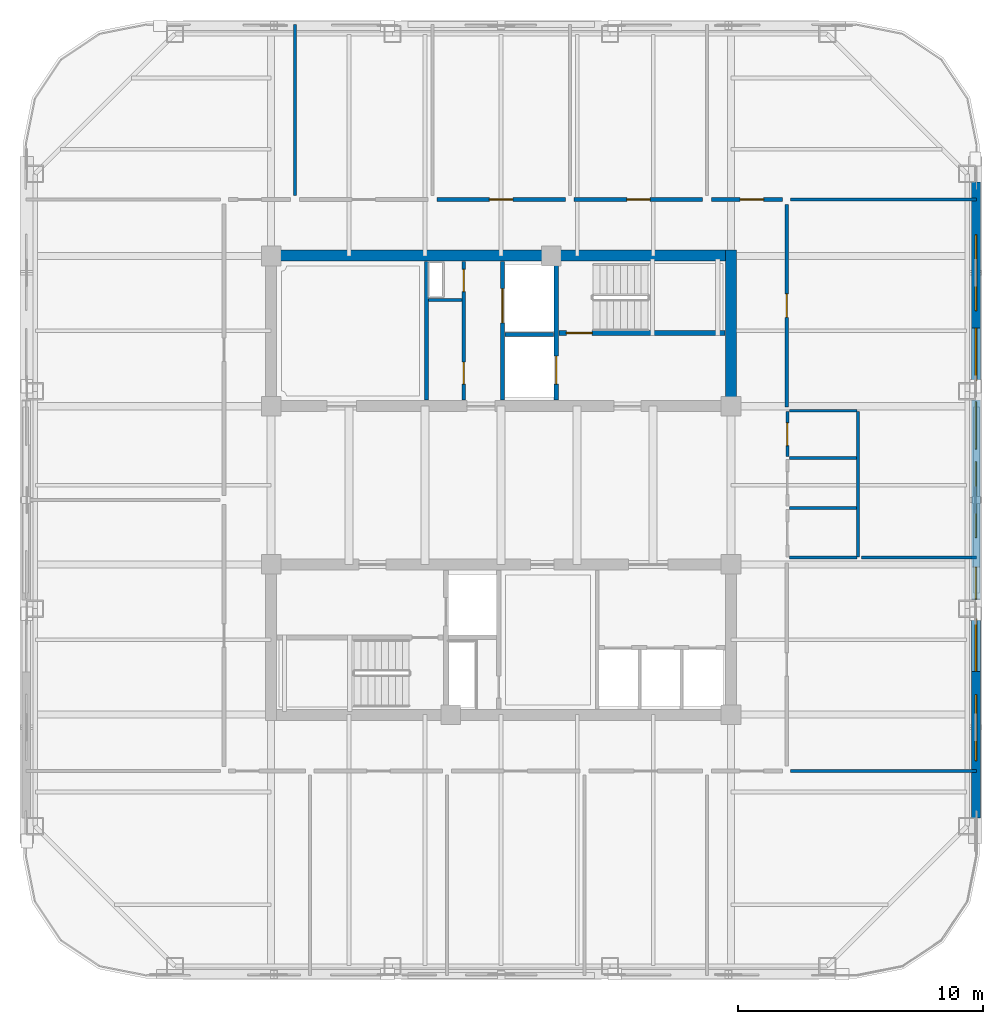
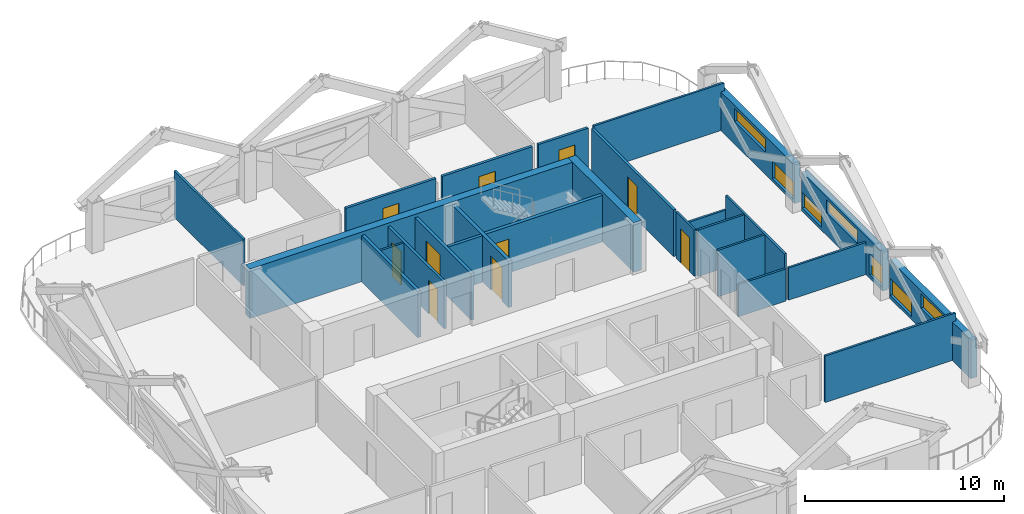
# One storey, part 5 of 9: 26 walls, 10 doors, 7 windows, 17 openings.
"""IFC4 building model written with IfcOpenShell, lengths in metres."""

from ifc_helpers import new_model, si_unit, direction, frame, frame_2d, origin, place, context, subcontext, project, spatial, rectangle, extrude, material, layer, layer_set, type_object, element, fill, save


model = new_model("IFC4")

# Units and contexts
model_context = context("Model", 3, precision=1e-05, world=origin(), true_north=direction((0.0, 1.0)))
body_context = subcontext(model_context, "Body", "Model", "MODEL_VIEW")
ifc_project = project(units=[si_unit("LENGTHUNIT", "METRE"), si_unit("AREAUNIT", "SQUARE_METRE"), si_unit("VOLUMEUNIT", "CUBIC_METRE"), si_unit("PLANEANGLEUNIT", "RADIAN"), si_unit("MASSUNIT", "GRAM", prefix="KILO")], contexts=[model_context])

# Site, building, storey
site_placement = place(None, origin())
site = spatial("IfcSite", under=ifc_project, at=site_placement, CompositionType="ELEMENT")
building_placement = place(site_placement, origin())
building = spatial("IfcBuilding", under=site, at=building_placement, Name="Qhalaya Broadcast Tower", CompositionType="ELEMENT")
storey_placement = place(building_placement, frame((0.0, 0.0, 211.699951171875)))
storey = spatial("IfcBuildingStorey", under=building, at=storey_placement, Name="L62", CompositionType="ELEMENT", Elevation=211.699951171875)

# Wall, openings, doors
ifc_material_1 = material(Name="Gypsum Acoustic Partition")
ifc_layer_1 = layer(ifc_material_1, 0.14990234375, Name="Gypsum Acoustic Partition")
ifc_layer_set_1 = layer_set([ifc_layer_1], Name="Gypsum Acoustic Partition")
wall_type_1 = type_object("IfcWallType", Name="Corridor & Tenancy Acoustic Partition 150", PredefinedType="PARTITIONING", material=ifc_layer_set_1)
wall_1_placement = place(storey_placement, frame((-1.52001953125, 4.070068359375, 0.0), z_axis=(0.0, 0.0, 1.0), x_axis=(0.0, 1.0, 0.0)))
wall_1 = element("IfcWall", 1, at=wall_1_placement, inside=storey, type_object=wall_type_1, Name="L62 Partition Wall NCW-SVL", PredefinedType="PARTITIONING", context=body_context, shape_type="SweptSolid", body=[
    extrude(rectangle(XDim=5.659912109375, YDim=0.14990234375, at=frame_2d((2.830078125, 0.0))), origin(), (0.0, 0.0, 1.0), 2.860107421875),
])
opening_1_placement = place(wall_1_placement, frame((4.429931640625, 0.0, 0.0)))
opening_1 = element("IfcOpeningElement", 2, at=opening_1_placement, cuts=wall_1, Name="Opening D06", PredefinedType="OPENING", context=body_context, shape_type="SweptSolid", body=[
    extrude(rectangle(XDim=0.89990234375, YDim=2.050048828125, at=frame_2d((0.449951171875, 1.02490234375))), frame((0.0, 0.0869140625, 0.0), z_axis=(0.0, -1.0, 0.0), x_axis=(1.0, 0.0, 0.0)), (0.0, 0.0, 1.0), 0.173828125),
])
opening_2_placement = place(wall_1_placement, frame((0.64990234375, 0.0, 0.0)))
opening_2 = element("IfcOpeningElement", 3, at=opening_2_placement, cuts=wall_1, Name="Opening D06", PredefinedType="OPENING", context=body_context, shape_type="SweptSolid", body=[
    extrude(rectangle(XDim=0.89990234375, YDim=2.050048828125, at=frame_2d((0.449951171875, 1.02490234375))), frame((0.0, 0.0869140625, 0.0), z_axis=(0.0, -1.0, 0.0), x_axis=(1.0, 0.0, 0.0)), (0.0, 0.0, 1.0), 0.173828125),
])
ifc_material_2 = material(Name="Fire-Rated Steel Door", Category="steel")
door_type_1 = type_object("IfcDoorType", Name="Riser & Electrical Shaft Access Door D06", OperationType="NOTDEFINED", PredefinedType="DOOR", material=ifc_material_2)
door_1_placement = place(opening_1_placement, origin())
door_1 = element("IfcDoor", 4, at=door_1_placement, inside=storey, type_object=door_type_1, Name="L62 Riser Shaft Access Door D-NRSR", OperationType="SINGLE_SWING_RIGHT", OverallHeight=2.050048828125, OverallWidth=0.89990234375, PredefinedType="DOOR", context=body_context, shape_type="SweptSolid", body=[
    extrude(rectangle(XDim=0.89990234375, YDim=2.050048828125, at=frame_2d((0.449951171875, 1.02490234375))), frame((0.0, 0.02490234375, 0.0), z_axis=(0.0, -1.0, 0.0), x_axis=(1.0, 0.0, 0.0)), (0.0, 0.0, 1.0), 0.050048828125),
])
fill(opening_1, door_1)
door_2_placement = place(opening_2_placement, origin())
door_2 = element("IfcDoor", 5, at=door_2_placement, inside=storey, type_object=door_type_1, Name="L62 Door D-NCST", OperationType="SINGLE_SWING_LEFT", OverallHeight=2.050048828125, OverallWidth=0.89990234375, PredefinedType="DOOR", context=body_context, shape_type="SweptSolid", body=[
    extrude(rectangle(XDim=0.89990234375, YDim=2.050048828125, at=frame_2d((0.449951171875, 1.02490234375))), frame((0.0, 0.02490234375, 0.0), z_axis=(0.0, -1.0, 0.0), x_axis=(1.0, 0.0, 0.0)), (0.0, 0.0, 1.0), 0.050048828125),
])
fill(opening_2, door_2)

# Wall, opening, door
wall_2_placement = place(storey_placement, frame((-2.6201171875, 12.25, 0.0), z_axis=(0.0, 0.0, 1.0), x_axis=(1.0, 0.0, 0.0)))
wall_2 = element("IfcWall", 6, at=wall_2_placement, inside=storey, type_object=wall_type_1, Name="L62 Partition Wall W-COR-03", PredefinedType="PARTITIONING", context=body_context, shape_type="SweptSolid", body=[
    extrude(rectangle(XDim=5.240234375, YDim=0.14990234375, at=frame_2d((2.6201171875, 0.0))), origin(), (0.0, 0.0, 1.0), 2.860107421875),
])
opening_3_placement = place(wall_2_placement, frame((2.14501953125, 0.0, 0.0)))
opening_3 = element("IfcOpeningElement", 7, at=opening_3_placement, cuts=wall_2, Name="Opening D10", PredefinedType="OPENING", context=body_context, shape_type="SweptSolid", body=[
    extrude(rectangle(XDim=0.949951171875, YDim=2.10009765625, at=frame_2d((0.47509765625, 1.050048828125))), frame((0.0, 0.0869140625, 0.0), z_axis=(0.0, -1.0, 0.0), x_axis=(1.0, 0.0, 0.0)), (0.0, 0.0, 1.0), 0.173828125),
])
ifc_material_3 = material(Name="Timber Veneer Acoustic Door", Category="wood")
door_type_2 = type_object("IfcDoorType", Name="Cellular Office & Edit Booth Door D10", OperationType="NOTDEFINED", PredefinedType="DOOR", material=ifc_material_3)
door_3_placement = place(opening_3_placement, origin())
door_3 = element("IfcDoor", 8, at=door_3_placement, inside=storey, type_object=door_type_2, Name="L62 Door D-RM03", OperationType="SINGLE_SWING_RIGHT", OverallHeight=2.10009765625, OverallWidth=0.949951171875, PredefinedType="DOOR", context=body_context, shape_type="SweptSolid", body=[
    extrude(rectangle(XDim=0.949951171875, YDim=2.10009765625, at=frame_2d((0.47509765625, 1.050048828125))), frame((0.0, 0.02490234375, 0.0), z_axis=(0.0, -1.0, 0.0), x_axis=(1.0, 0.0, 0.0)), (0.0, 0.0, 1.0), 0.050048828125),
])
fill(opening_3, door_3)

wall_3_placement = place(storey_placement, frame((2.97998046875, 12.25, 0.0), z_axis=(0.0, 0.0, 1.0), x_axis=(1.0, 0.0, 0.0)))
wall_3 = element("IfcWall", 9, at=wall_3_placement, inside=storey, type_object=wall_type_1, Name="L62 Partition Wall W-COR-04", PredefinedType="PARTITIONING", context=body_context, shape_type="SweptSolid", body=[
    extrude(rectangle(XDim=5.239990234375, YDim=0.14990234375, at=frame_2d((2.6201171875, 0.0))), origin(), (0.0, 0.0, 1.0), 2.860107421875),
])
opening_4_placement = place(wall_3_placement, frame((2.14501953125, 0.0, 0.0)))
opening_4 = element("IfcOpeningElement", 10, at=opening_4_placement, cuts=wall_3, Name="Opening D10", PredefinedType="OPENING", context=body_context, shape_type="SweptSolid", body=[
    extrude(rectangle(XDim=0.949951171875, YDim=2.10009765625, at=frame_2d((0.47509765625, 1.050048828125))), frame((0.0, 0.0869140625, 0.0), z_axis=(0.0, -1.0, 0.0), x_axis=(1.0, 0.0, 0.0)), (0.0, 0.0, 1.0), 0.173828125),
])
door_4_placement = place(opening_4_placement, origin())
door_4 = element("IfcDoor", 11, at=door_4_placement, inside=storey, type_object=door_type_2, Name="L62 Door D-RM04", OperationType="SINGLE_SWING_LEFT", OverallHeight=2.10009765625, OverallWidth=0.949951171875, PredefinedType="DOOR", context=body_context, shape_type="SweptSolid", body=[
    extrude(rectangle(XDim=0.949951171875, YDim=2.10009765625, at=frame_2d((0.47509765625, 1.050048828125))), frame((0.0, 0.02490234375, 0.0), z_axis=(0.0, -1.0, 0.0), x_axis=(1.0, 0.0, 0.0)), (0.0, 0.0, 1.0), 0.050048828125),
])
fill(opening_4, door_4)

wall_4_placement = place(storey_placement, frame((8.580078125, 12.25, 0.0), z_axis=(0.0, 0.0, 1.0), x_axis=(1.0, 0.0, 0.0)))
wall_4 = element("IfcWall", 12, at=wall_4_placement, inside=storey, type_object=wall_type_1, Name="L62 Partition Wall W-COR-05", PredefinedType="PARTITIONING", context=body_context, shape_type="SweptSolid", body=[
    extrude(rectangle(XDim=2.889892578125, YDim=0.14990234375, at=frame_2d((1.44482421875, 0.0))), origin(), (0.0, 0.0, 1.0), 2.860107421875),
])
opening_5_placement = place(wall_4_placement, frame((1.169921875, 0.0, 0.0)))
opening_5 = element("IfcOpeningElement", 13, at=opening_5_placement, cuts=wall_4, Name="Opening D10", PredefinedType="OPENING", context=body_context, shape_type="SweptSolid", body=[
    extrude(rectangle(XDim=0.949951171875, YDim=2.10009765625, at=frame_2d((0.47509765625, 1.050048828125))), frame((0.0, 0.0869140625, 0.0), z_axis=(0.0, -1.0, 0.0), x_axis=(1.0, 0.0, 0.0)), (0.0, 0.0, 1.0), 0.173828125),
])
door_5_placement = place(opening_5_placement, origin())
door_5 = element("IfcDoor", 14, at=door_5_placement, inside=storey, type_object=door_type_2, Name="L62 Door D-RM05", OperationType="SINGLE_SWING_RIGHT", OverallHeight=2.10009765625, OverallWidth=0.949951171875, PredefinedType="DOOR", context=body_context, shape_type="SweptSolid", body=[
    extrude(rectangle(XDim=0.949951171875, YDim=2.10009765625, at=frame_2d((0.47509765625, 1.050048828125))), frame((0.0, 0.02490234375, 0.0), z_axis=(0.0, -1.0, 0.0), x_axis=(1.0, 0.0, 0.0)), (0.0, 0.0, 1.0), 0.050048828125),
])
fill(opening_5, door_5)

wall_5_placement = place(storey_placement, frame((11.64990234375, 3.800048828125, 0.0), z_axis=(0.0, 0.0, 1.0), x_axis=(0.0, 1.0, 0.0)))
wall_5 = element("IfcWall", 15, at=wall_5_placement, inside=storey, type_object=wall_type_1, Name="L62 Partition Wall W-COR-14", PredefinedType="PARTITIONING", context=body_context, shape_type="SweptSolid", body=[
    extrude(rectangle(XDim=8.25, YDim=0.14990234375, at=frame_2d((4.125, 0.0))), origin(), (0.0, 0.0, 1.0), 2.860107421875),
])
opening_6_placement = place(wall_5_placement, frame((3.64990234375, 0.0, 0.0)))
opening_6 = element("IfcOpeningElement", 16, at=opening_6_placement, cuts=wall_5, Name="Opening D10", PredefinedType="OPENING", context=body_context, shape_type="SweptSolid", body=[
    extrude(rectangle(XDim=0.949951171875, YDim=2.10009765625, at=frame_2d((0.47509765625, 1.050048828125))), frame((0.0, 0.0869140625, 0.0), z_axis=(0.0, -1.0, 0.0), x_axis=(1.0, 0.0, 0.0)), (0.0, 0.0, 1.0), 0.173828125),
])
door_6_placement = place(opening_6_placement, origin())
door_6 = element("IfcDoor", 17, at=door_6_placement, inside=storey, type_object=door_type_2, Name="L62 Door D-RM14", OperationType="SINGLE_SWING_LEFT", OverallHeight=2.10009765625, OverallWidth=0.949951171875, PredefinedType="DOOR", context=body_context, shape_type="SweptSolid", body=[
    extrude(rectangle(XDim=0.949951171875, YDim=2.10009765625, at=frame_2d((0.47509765625, 1.050048828125))), frame((0.0, 0.02490234375, 0.0), z_axis=(0.0, -1.0, 0.0), x_axis=(1.0, 0.0, 0.0)), (0.0, 0.0, 1.0), 0.050048828125),
])
fill(opening_6, door_6)

# Wall, openings, windows
ifc_material_4 = material(Name="Precast Concrete C40/50", Category="concrete")
ifc_layer_2 = layer(ifc_material_4, 0.360107421875, Name="Precast Concrete C40/50")
ifc_layer_set_2 = layer_set([ifc_layer_2], Name="Precast Concrete C40/50")
wall_type_2 = type_object("IfcWallType", Name="Insulated Precast Terracotta Exterior Wall 360", PredefinedType="SOLIDWALL", material=ifc_layer_set_2)
wall_6_placement = place(storey_placement, frame((19.360107421875, 12.9619140625, 0.0), z_axis=(0.0, 0.0, 1.0), x_axis=(0.0, -1.0, 0.0)))
wall_6 = element("IfcWall", 18, at=wall_6_placement, inside=storey, type_object=wall_type_2, Name="L62 Exoskeleton Diagrid Infill Wall E1", PredefinedType="SOLIDWALL", context=body_context, shape_type="SweptSolid", body=[
    extrude(rectangle(XDim=8.1787109375, YDim=0.360107421875, at=frame_2d((4.08935546875, 0.0))), origin(), (0.0, 0.0, 1.0), 2.3740234375),
])
opening_7_placement = place(wall_6_placement, frame((2.14990234375, 0.0, 1.39990234375)))
opening_7 = element("IfcOpeningElement", 19, at=opening_7_placement, cuts=wall_6, Name="Opening W13", PredefinedType="OPENING", context=body_context, shape_type="SweptSolid", body=[
    extrude(rectangle(XDim=3.10009765625, YDim=0.800048828125, at=frame_2d((1.550048828125, 0.39990234375))), frame((0.0, 0.192138671875, 0.0), z_axis=(0.0, -1.0, 0.0), x_axis=(1.0, 0.0, 0.0)), (0.0, 0.0, 1.0), 0.384033203125),
])
opening_8_placement = place(wall_6_placement, frame((5.949951171875, 0.0, 0.199951171875)))
opening_8 = element("IfcOpeningElement", 20, at=opening_8_placement, cuts=wall_6, Name="Opening W13", PredefinedType="OPENING", context=body_context, shape_type="SweptSolid", body=[
    extrude(rectangle(XDim=2.14990234375, YDim=1.050048828125, at=frame_2d((1.074951171875, 0.52490234375))), frame((0.0, 0.192138671875, 0.0), z_axis=(0.0, -1.0, 0.0), x_axis=(1.0, 0.0, 0.0)), (0.0, 0.0, 1.0), 0.384033203125),
])
ifc_material_5 = material(Name="Solar-Control Low-E Triple Glazing", Category="glass")
window_type = type_object("IfcWindowType", Name="Upper-Block Diagrid Infill Window W13", PartitioningType="SINGLE_PANEL", PredefinedType="WINDOW", material=ifc_material_5)
window_1_placement = place(opening_7_placement, origin())
window_1 = element("IfcWindow", 21, at=window_1_placement, inside=storey, type_object=window_type, Name="L62 Diagrid Infill Window W13-E1", OverallHeight=0.800048828125, OverallWidth=3.10009765625, PartitioningType="SINGLE_PANEL", PredefinedType="WINDOW", context=body_context, shape_type="SweptSolid", body=[
    extrude(rectangle(XDim=3.10009765625, YDim=0.800048828125, at=frame_2d((1.550048828125, 0.39990234375))), frame((0.0, 0.030029296875, 0.0), z_axis=(0.0, -1.0, 0.0), x_axis=(1.0, 0.0, 0.0)), (0.0, 0.0, 1.0), 0.06005859375),
])
fill(opening_7, window_1)
window_2_placement = place(opening_8_placement, origin())
window_2 = element("IfcWindow", 22, at=window_2_placement, inside=storey, type_object=window_type, Name="L62 Diagrid Infill Window W13-E2", OverallHeight=1.050048828125, OverallWidth=2.14990234375, PartitioningType="SINGLE_PANEL", PredefinedType="WINDOW", context=body_context, shape_type="SweptSolid", body=[
    extrude(rectangle(XDim=2.14990234375, YDim=1.050048828125, at=frame_2d((1.074951171875, 0.52490234375))), frame((0.0, 0.030029296875, 0.0), z_axis=(0.0, -1.0, 0.0), x_axis=(1.0, 0.0, 0.0)), (0.0, 0.0, 1.0), 0.06005859375),
])
fill(opening_8, window_2)

wall_7_placement = place(storey_placement, frame((19.360107421875, 4.083251953125, 0.0), z_axis=(0.0, 0.0, 1.0), x_axis=(0.0, -1.0, 0.0)))
wall_7 = element("IfcWall", 23, at=wall_7_placement, inside=storey, type_object=wall_type_2, Name="L62 Exoskeleton Diagrid Infill Wall E2", PredefinedType="SOLIDWALL", context=body_context, shape_type="SweptSolid", body=[
    extrude(rectangle(XDim=8.16650390625, YDim=0.360107421875, at=frame_2d((4.083251953125, 0.0))), origin(), (0.0, 0.0, 1.0), 2.3740234375),
])
opening_9_placement = place(wall_7_placement, frame((0.071044921875, 0.0, 0.199951171875)))
opening_9 = element("IfcOpeningElement", 24, at=opening_9_placement, cuts=wall_7, Name="Opening W13", PredefinedType="OPENING", context=body_context, shape_type="SweptSolid", body=[
    extrude(rectangle(XDim=1.949951171875, YDim=0.949951171875, at=frame_2d((0.97509765625, 0.47509765625))), frame((0.0, 0.192138671875, 0.0), z_axis=(0.0, -1.0, 0.0), x_axis=(1.0, 0.0, 0.0)), (0.0, 0.0, 1.0), 0.384033203125),
])
opening_10_placement = place(wall_7_placement, frame((2.52099609375, 0.0, 1.39990234375)))
opening_10 = element("IfcOpeningElement", 25, at=opening_10_placement, cuts=wall_7, Name="Opening W13", PredefinedType="OPENING", context=body_context, shape_type="SweptSolid", body=[
    extrude(rectangle(XDim=3.10009765625, YDim=0.800048828125, at=frame_2d((1.550048828125, 0.39990234375))), frame((0.0, 0.192138671875, 0.0), z_axis=(0.0, -1.0, 0.0), x_axis=(1.0, 0.0, 0.0)), (0.0, 0.0, 1.0), 0.384033203125),
])
opening_11_placement = place(wall_7_placement, frame((6.821044921875, 0.0, 0.199951171875)))
opening_11 = element("IfcOpeningElement", 26, at=opening_11_placement, cuts=wall_7, Name="Opening W13", PredefinedType="OPENING", context=body_context, shape_type="SweptSolid", body=[
    extrude(rectangle(XDim=1.300048828125, YDim=1.300048828125, at=frame_2d((0.64990234375, 0.64990234375))), frame((0.0, 0.192138671875, 0.0), z_axis=(0.0, -1.0, 0.0), x_axis=(1.0, 0.0, 0.0)), (0.0, 0.0, 1.0), 0.384033203125),
])
window_3_placement = place(opening_9_placement, origin())
window_3 = element("IfcWindow", 27, at=window_3_placement, inside=storey, type_object=window_type, Name="L62 Diagrid Infill Window W13-E3", OverallHeight=0.949951171875, OverallWidth=1.949951171875, PartitioningType="SINGLE_PANEL", PredefinedType="WINDOW", context=body_context, shape_type="SweptSolid", body=[
    extrude(rectangle(XDim=1.949951171875, YDim=0.949951171875, at=frame_2d((0.97509765625, 0.47509765625))), frame((0.0, 0.030029296875, 0.0), z_axis=(0.0, -1.0, 0.0), x_axis=(1.0, 0.0, 0.0)), (0.0, 0.0, 1.0), 0.06005859375),
])
fill(opening_9, window_3)
window_4_placement = place(opening_10_placement, origin())
window_4 = element("IfcWindow", 28, at=window_4_placement, inside=storey, type_object=window_type, Name="L62 Diagrid Infill Window W13-E4", OverallHeight=0.800048828125, OverallWidth=3.10009765625, PartitioningType="SINGLE_PANEL", PredefinedType="WINDOW", context=body_context, shape_type="SweptSolid", body=[
    extrude(rectangle(XDim=3.10009765625, YDim=0.800048828125, at=frame_2d((1.550048828125, 0.39990234375))), frame((0.0, 0.030029296875, 0.0), z_axis=(0.0, -1.0, 0.0), x_axis=(1.0, 0.0, 0.0)), (0.0, 0.0, 1.0), 0.06005859375),
])
fill(opening_10, window_4)
window_5_placement = place(opening_11_placement, origin())
window_5 = element("IfcWindow", 29, at=window_5_placement, inside=storey, type_object=window_type, Name="L62 Diagrid Infill Window W13-E5", OverallHeight=1.300048828125, OverallWidth=1.300048828125, PartitioningType="SINGLE_PANEL", PredefinedType="WINDOW", context=body_context, shape_type="SweptSolid", body=[
    extrude(rectangle(XDim=1.300048828125, YDim=1.300048828125, at=frame_2d((0.64990234375, 0.64990234375))), frame((0.0, 0.030029296875, 0.0), z_axis=(0.0, -1.0, 0.0), x_axis=(1.0, 0.0, 0.0)), (0.0, 0.0, 1.0), 0.06005859375),
])
fill(opening_11, window_5)

wall_8_placement = place(storey_placement, frame((19.360107421875, -4.783203125, 0.0), z_axis=(0.0, 0.0, 1.0), x_axis=(0.0, -1.0, 0.0)))
wall_8 = element("IfcWall", 30, at=wall_8_placement, inside=storey, type_object=wall_type_2, Name="L62 Exoskeleton Diagrid Infill Wall E3", PredefinedType="SOLIDWALL", context=body_context, shape_type="SweptSolid", body=[
    extrude(rectangle(XDim=8.1787109375, YDim=0.360107421875, at=frame_2d((4.08935546875, 0.0))), origin(), (0.0, 0.0, 1.0), 2.3740234375),
])
opening_12_placement = place(wall_8_placement, frame((0.054931640625, 0.0, 0.199951171875)))
opening_12 = element("IfcOpeningElement", 31, at=opening_12_placement, cuts=wall_8, Name="Opening W13", PredefinedType="OPENING", context=body_context, shape_type="SweptSolid", body=[
    extrude(rectangle(XDim=2.14990234375, YDim=1.050048828125, at=frame_2d((1.074951171875, 0.52490234375))), frame((0.0, 0.192138671875, 0.0), z_axis=(0.0, -1.0, 0.0), x_axis=(1.0, 0.0, 0.0)), (0.0, 0.0, 1.0), 0.384033203125),
])
opening_13_placement = place(wall_8_placement, frame((3.155029296875, 0.0, 1.300048828125)))
opening_13 = element("IfcOpeningElement", 32, at=opening_13_placement, cuts=wall_8, Name="Opening W13", PredefinedType="OPENING", context=body_context, shape_type="SweptSolid", body=[
    extrude(rectangle(XDim=2.699951171875, YDim=0.89990234375, at=frame_2d((1.35009765625, 0.449951171875))), frame((0.0, 0.192138671875, 0.0), z_axis=(0.0, -1.0, 0.0), x_axis=(1.0, 0.0, 0.0)), (0.0, 0.0, 1.0), 0.384033203125),
])
window_6_placement = place(opening_12_placement, origin())
window_6 = element("IfcWindow", 33, at=window_6_placement, inside=storey, type_object=window_type, Name="L62 Diagrid Infill Window W13-E6", OverallHeight=1.050048828125, OverallWidth=2.14990234375, PartitioningType="SINGLE_PANEL", PredefinedType="WINDOW", context=body_context, shape_type="SweptSolid", body=[
    extrude(rectangle(XDim=2.14990234375, YDim=1.050048828125, at=frame_2d((1.074951171875, 0.52490234375))), frame((0.0, 0.030029296875, 0.0), z_axis=(0.0, -1.0, 0.0), x_axis=(1.0, 0.0, 0.0)), (0.0, 0.0, 1.0), 0.06005859375),
])
fill(opening_12, window_6)
window_7_placement = place(opening_13_placement, origin())
window_7 = element("IfcWindow", 34, at=window_7_placement, inside=storey, type_object=window_type, Name="L62 Diagrid Infill Window W13-E7", OverallHeight=0.89990234375, OverallWidth=2.699951171875, PartitioningType="SINGLE_PANEL", PredefinedType="WINDOW", context=body_context, shape_type="SweptSolid", body=[
    extrude(rectangle(XDim=2.699951171875, YDim=0.89990234375, at=frame_2d((1.35009765625, 0.449951171875))), frame((0.0, 0.030029296875, 0.0), z_axis=(0.0, -1.0, 0.0), x_axis=(1.0, 0.0, 0.0)), (0.0, 0.0, 1.0), 0.06005859375),
])
fill(opening_13, window_7)

# Wall, opening, door
ifc_material_6 = material(Name="Concrete C50/60", Category="concrete")
ifc_layer_3 = layer(ifc_material_6, 0.199951171875, Name="Concrete C50/60")
ifc_layer_set_3 = layer_set([ifc_layer_3], Name="Concrete C50/60")
wall_type_3 = type_object("IfcWallType", Name="Load-Bearing Stair Shaft Wall 200", PredefinedType="SHEAR", material=ifc_layer_set_3)
wall_9_placement = place(storey_placement, frame((2.360107421875, 6.804931640625, 0.0), z_axis=(0.0, 0.0, 1.0), x_axis=(1.0, 0.0, 0.0)))
wall_9 = element("IfcWall", 35, at=wall_9_placement, inside=storey, type_object=wall_type_3, Name="L62 Stair Core Shear Wall NCW-ST1", PredefinedType="SHEAR", context=body_context, shape_type="SweptSolid", body=[
    extrude(rectangle(XDim=6.769775390625, YDim=0.199951171875, at=frame_2d((3.384765625, 0.0))), origin(), (0.0, 0.0, 1.0), 2.860107421875),
])
opening_14_placement = place(wall_9_placement, frame((0.300048828125, 0.0, 0.0)))
opening_14 = element("IfcOpeningElement", 36, at=opening_14_placement, cuts=wall_9, Name="Opening D03", PredefinedType="OPENING", context=body_context, shape_type="SweptSolid", body=[
    extrude(rectangle(XDim=1.050048828125, YDim=2.080078125, at=frame_2d((0.52490234375, 1.0400390625))), frame((0.0, 0.112060546875, 0.0), z_axis=(0.0, -1.0, 0.0), x_axis=(1.0, 0.0, 0.0)), (0.0, 0.0, 1.0), 0.223876953125),
])
door_type_3 = type_object("IfcDoorType", Name="Core Stair Protected Fire Door D03", OperationType="NOTDEFINED", PredefinedType="DOOR", material=ifc_material_2)
door_7_placement = place(opening_14_placement, origin())
door_7 = element("IfcDoor", 37, at=door_7_placement, inside=storey, type_object=door_type_3, Name="L62 Door D-NST1", OperationType="SINGLE_SWING_LEFT", OverallHeight=2.080078125, OverallWidth=1.050048828125, PredefinedType="DOOR", context=body_context, shape_type="SweptSolid", body=[
    extrude(rectangle(XDim=1.050048828125, YDim=2.080078125, at=frame_2d((0.52490234375, 1.0400390625))), frame((0.0, 0.02490234375, 0.0), z_axis=(0.0, -1.0, 0.0), x_axis=(1.0, 0.0, 0.0)), (0.0, 0.0, 1.0), 0.050048828125),
])
fill(opening_14, door_7)

wall_10_placement = place(storey_placement, frame((2.25, 4.070068359375, 0.0), z_axis=(0.0, 0.0, 1.0), x_axis=(0.0, 1.0, 0.0)))
wall_10 = element("IfcWall", 38, at=wall_10_placement, inside=storey, type_object=wall_type_3, Name="L62 Stair Core Shear Wall NCW-FF", PredefinedType="SHEAR", context=body_context, shape_type="SweptSolid", body=[
    extrude(rectangle(XDim=5.659912109375, YDim=0.199951171875, at=frame_2d((2.830078125, 0.0))), origin(), (0.0, 0.0, 1.0), 2.860107421875),
])
opening_15_placement = place(wall_10_placement, frame((0.64990234375, 0.0, 0.0)))
opening_15 = element("IfcOpeningElement", 39, at=opening_15_placement, cuts=wall_10, Name="Opening LD2", PredefinedType="OPENING", context=body_context, shape_type="SweptSolid", body=[
    extrude(rectangle(XDim=1.14990234375, YDim=2.080078125, at=frame_2d((0.574951171875, 1.0400390625))), frame((0.0, 0.112060546875, 0.0), z_axis=(0.0, -1.0, 0.0), x_axis=(1.0, 0.0, 0.0)), (0.0, 0.0, 1.0), 0.223876953125),
])
ifc_material_7 = material(Name="Brushed Stainless Steel Lift Door", Category="steel")
door_type_4 = type_object("IfcDoorType", Name="Firefighting Lift Sliding Landing Door LD2", OperationType="DOUBLE_DOOR_SLIDING", PredefinedType="DOOR", material=ifc_material_7)
door_8_placement = place(opening_15_placement, origin())
door_8 = element("IfcDoor", 40, at=door_8_placement, inside=storey, type_object=door_type_4, Name="L62 Door LD-FF1", OperationType="DOUBLE_DOOR_SLIDING", OverallHeight=2.080078125, OverallWidth=1.14990234375, PredefinedType="DOOR", context=body_context, shape_type="SweptSolid", body=[
    extrude(rectangle(XDim=1.14990234375, YDim=2.080078125, at=frame_2d((0.574951171875, 1.0400390625))), frame((0.0, 0.02490234375, 0.0), z_axis=(0.0, -1.0, 0.0), x_axis=(1.0, 0.0, 0.0)), (0.0, 0.0, 1.0), 0.050048828125),
])
fill(opening_15, door_8)

# Wall
ifc_layer_4 = layer(ifc_material_1, 0.1201171875, Name="Gypsum Acoustic Partition")
ifc_layer_set_4 = layer_set([ifc_layer_4], Name="Gypsum Acoustic Partition")
wall_type_4 = type_object("IfcWallType", Name="Office, Booth & Sanitary Partition 120", PredefinedType="PARTITIONING", material=ifc_layer_set_4)
wall_11_placement = place(storey_placement, frame((-2.9599609375, 8.14990234375, 0.0), z_axis=(0.0, 0.0, 1.0), x_axis=(1.0, 0.0, 0.0)))
element("IfcWall", 41, at=wall_11_placement, inside=storey, type_object=wall_type_4, Name="L62 Partition Wall NCW-VA", PredefinedType="PARTITIONING", context=body_context, shape_type="SweptSolid", body=[
    extrude(rectangle(XDim=1.35986328125, YDim=0.1201171875, at=frame_2d((0.679931640625, 0.0))), origin(), (0.0, 0.0, 1.0), 2.860107421875),
])

# Wall, opening, door
wall_12_placement = place(storey_placement, frame((11.669921875, 1.780029296875, 0.0), z_axis=(0.0, 0.0, 1.0), x_axis=(0.0, 1.0, 0.0)))
wall_12 = element("IfcWall", 42, at=wall_12_placement, inside=storey, type_object=wall_type_4, Name="L62 Partition Wall W-WCWF", PredefinedType="PARTITIONING", context=body_context, shape_type="SweptSolid", body=[
    extrude(rectangle(XDim=1.830078125, YDim=0.1201171875, at=frame_2d((0.9150390625, 0.0))), origin(), (0.0, 0.0, 1.0), 2.860107421875),
])
opening_16_placement = place(wall_12_placement, frame((0.43994140625, 0.0, 0.0)))
opening_16 = element("IfcOpeningElement", 43, at=opening_16_placement, cuts=wall_12, Name="Opening D12", PredefinedType="OPENING", context=body_context, shape_type="SweptSolid", body=[
    extrude(rectangle(XDim=0.919921875, YDim=2.10009765625, at=frame_2d((0.4599609375, 1.050048828125))), frame((0.0, 0.072021484375, 0.0), z_axis=(0.0, -1.0, 0.0), x_axis=(1.0, 0.0, 0.0)), (0.0, 0.0, 1.0), 0.14404296875),
])
door_type_5 = type_object("IfcDoorType", Name="Accessible WC & Restroom Door D12", OperationType="NOTDEFINED", PredefinedType="DOOR", material=ifc_material_3)
door_9_placement = place(opening_16_placement, origin())
door_9 = element("IfcDoor", 44, at=door_9_placement, inside=storey, type_object=door_type_5, Name="L62 Door D-WCF", OperationType="SINGLE_SWING_LEFT", OverallHeight=2.10009765625, OverallWidth=0.919921875, PredefinedType="DOOR", context=body_context, shape_type="SweptSolid", body=[
    extrude(rectangle(XDim=0.919921875, YDim=2.10009765625, at=frame_2d((0.4599609375, 1.050048828125))), frame((0.0, 0.02490234375, 0.0), z_axis=(0.0, -1.0, 0.0), x_axis=(1.0, 0.0, 0.0)), (0.0, 0.0, 1.0), 0.050048828125),
])
fill(opening_16, door_9)

# Walls
wall_13_placement = place(storey_placement, frame((14.550048828125, -2.320068359375, 0.0), z_axis=(0.0, 0.0, 1.0), x_axis=(0.0, 1.0, 0.0)))
element("IfcWall", 45, at=wall_13_placement, inside=storey, type_object=wall_type_4, Name="L62 Partition Wall W-WCE", PredefinedType="PARTITIONING", context=body_context, shape_type="SweptSolid", body=[
    extrude(rectangle(XDim=5.93017578125, YDim=0.1201171875, at=frame_2d((2.965087890625, 0.0))), origin(), (0.0, 0.0, 1.0), 2.860107421875),
])
for number, where, z_axis, x_axis, name in (
    (46, (11.760009765625, -2.35009765625, 0.0), (0.0, 0.0, 1.0), (1.0, 0.0, 0.0), "L62 Partition Wall W-WCS"),
    (47, (11.760009765625, 3.639892578125, 0.0), (0.0, 0.0, 1.0), (1.0, 0.0, 0.0), "L62 Partition Wall W-WCN"),
):
    element("IfcWall", number, at=place(storey_placement, frame(where, z_axis=z_axis, x_axis=x_axis)), inside=storey, type_object=wall_type_4, Name=name, PredefinedType="PARTITIONING", context=body_context, shape_type="SweptSolid", body=[
        extrude(rectangle(XDim=2.760009765625, YDim=0.1201171875, at=frame_2d((1.3798828125, 0.0))), origin(), (0.0, 0.0, 1.0), 1.98095703125),
    ])
for number, where, z_axis, x_axis, name in (
    (48, (11.760009765625, -0.320068359375, 0.0), (0.0, 0.0, 1.0), (1.0, 0.0, 0.0), "L62 Partition Wall W-WCD1"),
    (49, (11.760009765625, 1.719970703125, 0.0), (0.0, 0.0, 1.0), (1.0, 0.0, 0.0), "L62 Partition Wall W-WCD2"),
):
    element("IfcWall", number, at=place(storey_placement, frame(where, z_axis=z_axis, x_axis=x_axis)), inside=storey, type_object=wall_type_4, Name=name, PredefinedType="PARTITIONING", context=body_context, shape_type="SweptSolid", body=[
        extrude(rectangle(XDim=2.719970703125, YDim=0.1201171875, at=frame_2d((1.35986328125, 0.0))), origin(), (0.0, 0.0, 1.0), 2.860107421875),
    ])
for number, where, z_axis, x_axis, name in (
    (50, (11.7900390625, 12.25, 0.0), (0.0, 0.0, 1.0), (1.0, 0.0, 0.0), "L62 Partition Wall W-BNDE1"),
    (51, (11.7900390625, -11.050048828125, 0.0), (0.0, 0.0, 1.0), (1.0, 0.0, 0.0), "L62 Partition Wall W-BNDE2"),
):
    element("IfcWall", number, at=place(storey_placement, frame(where, z_axis=z_axis, x_axis=x_axis)), inside=storey, type_object=wall_type_4, Name=name, PredefinedType="PARTITIONING", context=body_context, shape_type="SweptSolid", body=[
        extrude(rectangle(XDim=7.58984375, YDim=0.1201171875, at=frame_2d((3.794921875, 0.0))), origin(), (0.0, 0.0, 1.0), 2.860107421875),
    ])
wall_14_placement = place(storey_placement, frame((-8.39990234375, 12.409912109375, 0.0), z_axis=(0.0, 0.0, 1.0), x_axis=(0.0, 1.0, 0.0)))
element("IfcWall", 52, at=wall_14_placement, inside=storey, type_object=wall_type_4, Name="L62 Partition Wall W-DIVN1", PredefinedType="PARTITIONING", context=body_context, shape_type="SweptSolid", body=[
    extrude(rectangle(XDim=6.969970703125, YDim=0.1201171875, at=frame_2d((3.48486328125, 0.0))), origin(), (0.0, 0.0, 1.0), 2.860107421875),
])
wall_15_placement = place(storey_placement, frame((14.68994140625, -2.35009765625, 0.0), z_axis=(0.0, 0.0, 1.0), x_axis=(1.0, 0.0, 0.0)))
element("IfcWall", 53, at=wall_15_placement, inside=storey, type_object=wall_type_4, Name="L62 Partition Wall W-DIVE-WC", PredefinedType="PARTITIONING", context=body_context, shape_type="SweptSolid", body=[
    extrude(rectangle(XDim=4.68994140625, YDim=0.1201171875, at=frame_2d((2.344970703125, 0.0))), origin(), (0.0, 0.0, 1.0), 1.98095703125),
])

# Wall, opening, door
ifc_layer_5 = layer(ifc_material_1, 0.175048828125, Name="Gypsum Acoustic Partition")
ifc_layer_set_5 = layer_set([ifc_layer_5], Name="Gypsum Acoustic Partition")
wall_type_5 = type_object("IfcWallType", Name="Shaft & Riser Fire Partition 175", PredefinedType="PARTITIONING", material=ifc_layer_set_5)
wall_16_placement = place(storey_placement, frame((0.06005859375, 4.070068359375, 0.0), z_axis=(0.0, 0.0, 1.0), x_axis=(0.0, 1.0, 0.0)))
wall_16 = element("IfcWall", 54, at=wall_16_placement, inside=storey, type_object=wall_type_5, Name="L62 Partition Wall NCW-SVW", PredefinedType="PARTITIONING", context=body_context, shape_type="SweptSolid", body=[
    extrude(rectangle(XDim=5.659912109375, YDim=0.175048828125, at=frame_2d((2.830078125, 0.0))), origin(), (0.0, 0.0, 1.0), 2.860107421875),
])
opening_17_placement = place(wall_16_placement, frame((3.14990234375, 0.0, 0.0)))
opening_17 = element("IfcOpeningElement", 55, at=opening_17_placement, cuts=wall_16, Name="Opening LD3", PredefinedType="OPENING", context=body_context, shape_type="SweptSolid", body=[
    extrude(rectangle(XDim=1.39990234375, YDim=2.1201171875, at=frame_2d((0.699951171875, 1.06005859375))), frame((0.0, 0.099609375, 0.0), z_axis=(0.0, -1.0, 0.0), x_axis=(1.0, 0.0, 0.0)), (0.0, 0.0, 1.0), 0.198974609375),
])
door_type_6 = type_object("IfcDoorType", Name="Service Lift Wide Sliding Landing Door LD3", OperationType="DOUBLE_DOOR_SLIDING", PredefinedType="DOOR", material=ifc_material_7)
door_10_placement = place(opening_17_placement, origin())
door_10 = element("IfcDoor", 56, at=door_10_placement, inside=storey, type_object=door_type_6, Name="L62 Door LD-SV1", OperationType="DOUBLE_DOOR_SLIDING", OverallHeight=2.1201171875, OverallWidth=1.39990234375, PredefinedType="DOOR", context=body_context, shape_type="SweptSolid", body=[
    extrude(rectangle(XDim=1.39990234375, YDim=2.1201171875, at=frame_2d((0.699951171875, 1.06005859375))), frame((0.0, 0.02490234375, 0.0), z_axis=(0.0, -1.0, 0.0), x_axis=(1.0, 0.0, 0.0)), (0.0, 0.0, 1.0), 0.050048828125),
])
fill(opening_17, door_10)

# Walls
wall_17_placement = place(storey_placement, frame((0.159912109375, 6.75, 0.0), z_axis=(0.0, 0.0, 1.0), x_axis=(1.0, 0.0, 0.0)))
element("IfcWall", 57, at=wall_17_placement, inside=storey, type_object=wall_type_5, Name="L62 Partition Wall NCW-SVM", PredefinedType="PARTITIONING", context=body_context, shape_type="SweptSolid", body=[
    extrude(rectangle(XDim=1.97998046875, YDim=0.175048828125, at=frame_2d((0.989990234375, 0.0))), origin(), (0.0, 0.0, 1.0), 2.860107421875),
])
wall_18_placement = place(storey_placement, frame((-3.0400390625, 4.070068359375, 0.0), z_axis=(0.0, 0.0, 1.0), x_axis=(0.0, 1.0, 0.0)))
element("IfcWall", 58, at=wall_18_placement, inside=storey, type_object=wall_type_5, Name="L62 Partition Wall NCW-VRW", PredefinedType="PARTITIONING", context=body_context, shape_type="SweptSolid", body=[
    extrude(rectangle(XDim=5.659912109375, YDim=0.175048828125, at=frame_2d((2.830078125, 0.0))), origin(), (0.0, 0.0, 1.0), 2.860107421875),
])
ifc_layer_6 = layer(ifc_material_6, 0.449951171875, Name="Concrete C50/60")
ifc_layer_set_6 = layer_set([ifc_layer_6], Name="Concrete C50/60")
wall_type_6 = type_object("IfcWallType", Name="Upper Split-Core Shear Wall 450", PredefinedType="SHEAR", material=ifc_layer_set_6)
wall_19_placement = place(storey_placement, frame((-9.60009765625, 9.97509765625, 0.0), z_axis=(0.0, 0.0, 1.0), x_axis=(1.0, 0.0, 0.0)))
element("IfcWall", 59, at=wall_19_placement, inside=storey, type_object=wall_type_6, Name="L62 Split-Core Shear Wall CW-NN", PredefinedType="SHEAR", context=body_context, shape_type="SweptSolid", body=[
    extrude(rectangle(XDim=19.2001953125, YDim=0.449951171875, at=frame_2d((9.60009765625, 0.0))), origin(), (0.0, 0.0, 1.0), 3.050048828125),
])
wall_20_placement = place(storey_placement, frame((9.375, 3.60009765625, 0.0), z_axis=(0.0, 0.0, 1.0), x_axis=(0.0, 1.0, 0.0)))
element("IfcWall", 60, at=wall_20_placement, inside=storey, type_object=wall_type_6, Name="L62 Split-Core Shear Wall CW-NE", PredefinedType="SHEAR", context=body_context, shape_type="SweptSolid", body=[
    extrude(rectangle(XDim=6.599853515625, YDim=0.449951171875, at=frame_2d((3.2998046875, 0.0))), origin(), (0.0, 0.0, 1.0), 3.050048828125),
])

save(model, "model.ifc")
